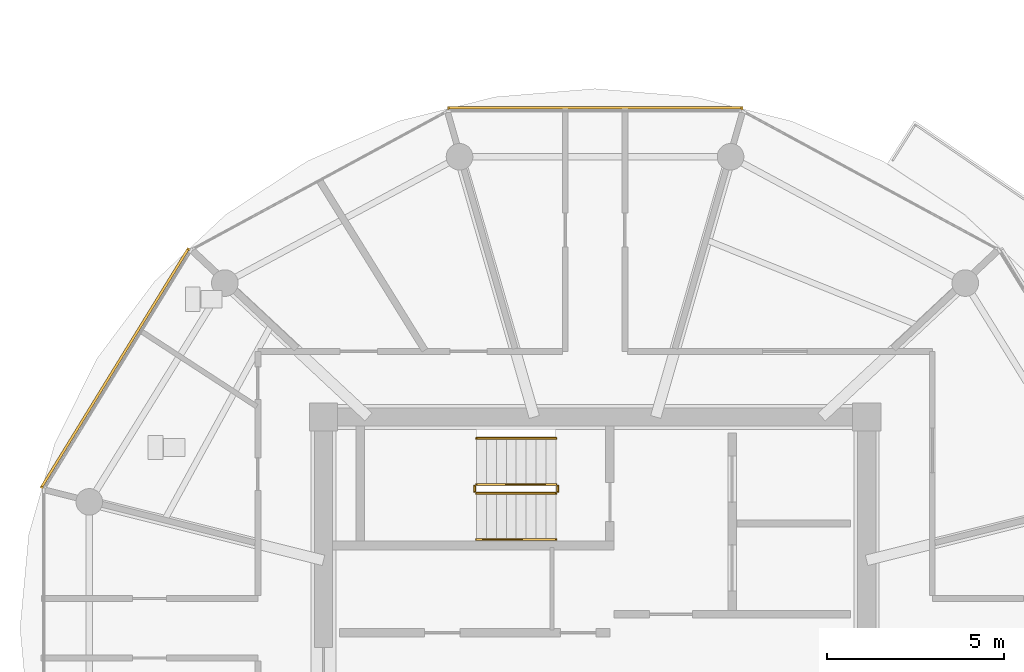
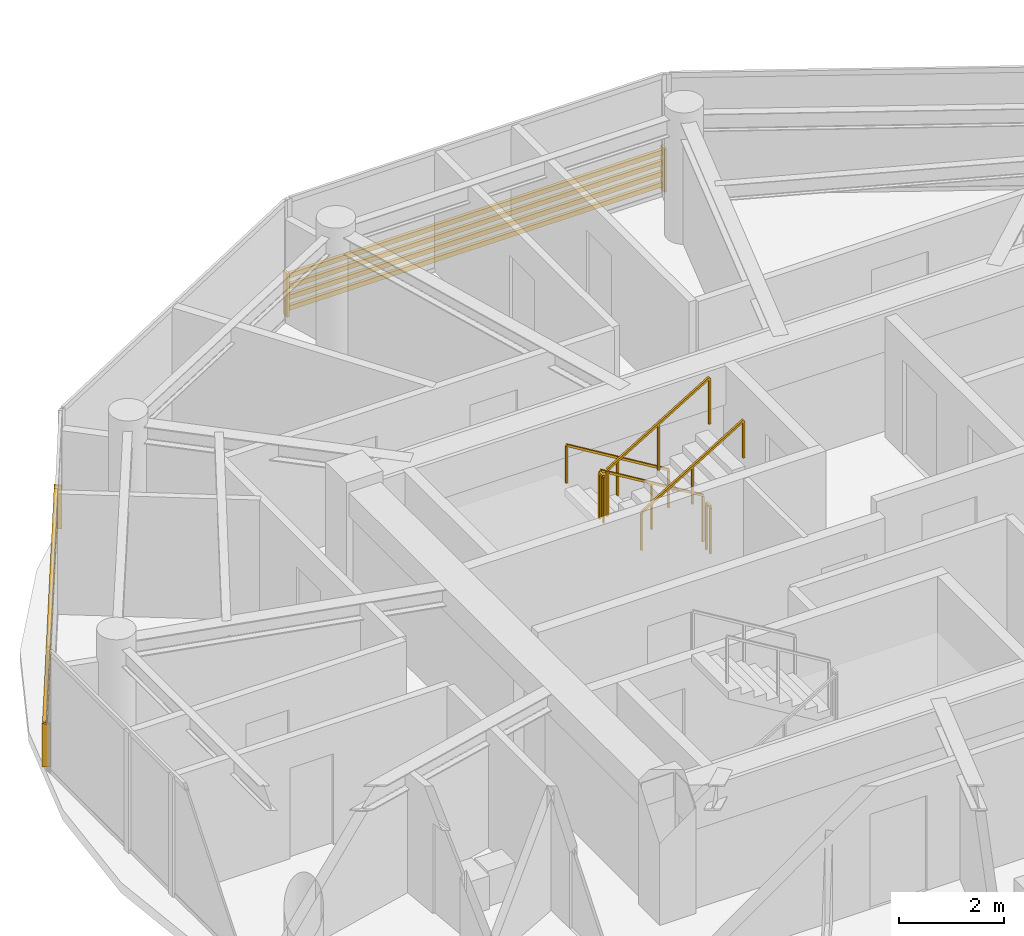
# One storey, part 16 of 19: 6 railings, 2 shading devices.
"""IFC4 building model written with IfcOpenShell, lengths in metres."""

from ifc_helpers import new_model, si_unit, direction, frame, origin, origin_2d, place, context, subcontext, project, spatial, rectangle, extrude, source, transform, mapped, material, type_object, type_shapes, element, save


model = new_model("IFC4")

# Units and contexts
model_context = context("Model", 3, precision=1e-05, world=origin(), true_north=direction((0.0, 1.0)))
body_context = subcontext(model_context, "Body", "Model", "MODEL_VIEW")
ifc_project = project(units=[si_unit("LENGTHUNIT", "METRE"), si_unit("AREAUNIT", "SQUARE_METRE"), si_unit("VOLUMEUNIT", "CUBIC_METRE"), si_unit("PLANEANGLEUNIT", "RADIAN"), si_unit("MASSUNIT", "GRAM", prefix="KILO")], contexts=[model_context])

# Site, building, storey
site_placement = place(None, origin())
site = spatial("IfcSite", under=ifc_project, at=site_placement, CompositionType="ELEMENT")
building_placement = place(site_placement, origin())
building = spatial("IfcBuilding", under=site, at=building_placement, Name="Norrkilde Senior Care Towers", CompositionType="ELEMENT")
storey_placement = place(building_placement, frame((0.0, 0.0, 193.699951171875)))
storey = spatial("IfcBuildingStorey", under=building, at=storey_placement, Name="L60", CompositionType="ELEMENT", Elevation=193.699951171875)

# Railings
ifc_material_1 = material(Name="Stainless Steel", Category="steel")
railing_type_1 = type_object("IfcRailingType", Name="Stair and Terrace Guardrail 1100", PredefinedType="GUARDRAIL", material=ifc_material_1)
railing_1_placement = place(storey_placement, frame((-29.10009765625, 4.050048828125, 0.16943359375)))
element("IfcRailing", 1, at=railing_1_placement, inside=storey, type_object=railing_type_1, Name="L60 ST-W1 stair guard 1", PredefinedType="GUARDRAIL", context=body_context, shape_type="SweptSolid", body=[
    extrude(rectangle(XDim=0.048095703125, YDim=0.048095703125, at=origin_2d()), frame((0.0, 0.0, 1.076171875), z_axis=(-0.855512035549, 0.0, 0.517782924622), x_axis=(0.0, -1.0, 0.0)), (0.0, 0.0, 1.0), 2.618408203125),
    extrude(rectangle(XDim=0.0419921875, YDim=0.0419921875, at=origin_2d()), origin(), (0.0, 0.0, 1.0), 1.050048828125),
    extrude(rectangle(XDim=0.0419921875, YDim=0.0419921875, at=origin_2d()), frame((-1.1201171875, 0.0, 0.677734375)), (0.0, 0.0, 1.0), 1.050048828125),
    extrude(rectangle(XDim=0.0419921875, YDim=0.0419921875, at=origin_2d()), frame((-2.239990234375, 0.0, 1.355712890625)), (0.0, 0.0, 1.0), 1.050048828125),
])
railing_2_placement = place(storey_placement, frame((-31.389892578125, 4.0, 1.525146484375)))
element("IfcRailing", 2, at=railing_2_placement, inside=storey, type_object=railing_type_1, Name="L60 ST-W1 stair guard 2", PredefinedType="GUARDRAIL", context=body_context, shape_type="SweptSolid", body=[
    extrude(rectangle(XDim=0.048095703125, YDim=0.048095703125, at=origin_2d()), frame((0.0, 0.0, 1.076171875), z_axis=(0.0, -1.0, 0.0), x_axis=(1.0, 0.0, 0.0)), (0.0, 0.0, 1.0), 0.14990234375),
    extrude(rectangle(XDim=0.0419921875, YDim=0.0419921875, at=origin_2d()), origin(), (0.0, 0.0, 1.0), 1.050048828125),
    extrude(rectangle(XDim=0.0419921875, YDim=0.0419921875, at=origin_2d()), frame((0.0, -0.14990234375, 0.0)), (0.0, 0.0, 1.0), 1.050048828125),
])
railing_3_placement = place(storey_placement, frame((-31.340087890625, 3.800048828125, 1.694580078125)))
element("IfcRailing", 3, at=railing_3_placement, inside=storey, type_object=railing_type_1, Name="L60 ST-W1 stair guard 3", PredefinedType="GUARDRAIL", context=body_context, shape_type="SweptSolid", body=[
    extrude(rectangle(XDim=0.048095703125, YDim=0.048095703125, at=origin_2d()), frame((0.0, 0.0, 1.076171875), z_axis=(0.855553338991, 0.0, 0.51771467445), x_axis=(0.0, 1.0, 0.0)), (0.0, 0.0, 1.0), 2.6181640625),
    extrude(rectangle(XDim=0.0419921875, YDim=0.0419921875, at=origin_2d()), origin(), (0.0, 0.0, 1.0), 1.050048828125),
    extrude(rectangle(XDim=0.0419921875, YDim=0.0419921875, at=origin_2d()), frame((1.1201171875, 0.0, 0.677734375)), (0.0, 0.0, 1.0), 1.050048828125),
    extrude(rectangle(XDim=0.0419921875, YDim=0.0419921875, at=origin_2d()), frame((2.239990234375, 0.0, 1.35546875)), (0.0, 0.0, 1.0), 1.050048828125),
])
railing_4_placement = place(storey_placement, frame((-29.050048828125, 4.0, 0.0)))
element("IfcRailing", 4, at=railing_4_placement, inside=storey, type_object=railing_type_1, Name="L60 ST-W1 stair guard 4", PredefinedType="GUARDRAIL", context=body_context, shape_type="SweptSolid", body=[
    extrude(rectangle(XDim=0.048095703125, YDim=0.048095703125, at=origin_2d()), frame((0.0, 0.0, 1.076171875), z_axis=(0.0, -1.0, 0.0), x_axis=(1.0, 0.0, 0.0)), (0.0, 0.0, 1.0), 0.14990234375),
    extrude(rectangle(XDim=0.0419921875, YDim=0.0419921875, at=origin_2d()), origin(), (0.0, 0.0, 1.0), 1.050048828125),
    extrude(rectangle(XDim=0.0419921875, YDim=0.0419921875, at=origin_2d()), frame((0.0, -0.14990234375, 0.0)), (0.0, 0.0, 1.0), 1.050048828125),
])
ifc_material_2 = material(Name="Nordic Ash Timber", Category="wood")
railing_type_2 = type_object("IfcRailingType", Name="Wall and Stair Handrail 900", PredefinedType="HANDRAIL", material=ifc_material_2)
railing_5_placement = place(storey_placement, frame((-29.10009765625, 5.35009765625, 0.16943359375)))
element("IfcRailing", 5, at=railing_5_placement, inside=storey, type_object=railing_type_2, Name="L60 ST-W1 stair handrail 1", PredefinedType="HANDRAIL", context=body_context, shape_type="SweptSolid", body=[
    extrude(rectangle(XDim=0.048095703125, YDim=0.048095703125, at=origin_2d()), frame((0.0, 0.0, 0.8759765625), z_axis=(-0.855512035549, 0.0, 0.517782924622), x_axis=(0.0, -1.0, 0.0)), (0.0, 0.0, 1.0), 2.618408203125),
    extrude(rectangle(XDim=0.0419921875, YDim=0.0419921875, at=origin_2d()), origin(), (0.0, 0.0, 1.0), 0.849853515625),
    extrude(rectangle(XDim=0.0419921875, YDim=0.0419921875, at=origin_2d()), frame((-1.1201171875, 0.0, 0.677734375)), (0.0, 0.0, 1.0), 0.849853515625),
    extrude(rectangle(XDim=0.0419921875, YDim=0.0419921875, at=origin_2d()), frame((-2.239990234375, 0.0, 1.355712890625)), (0.0, 0.0, 1.0), 0.849853515625),
])
railing_6_placement = place(storey_placement, frame((-31.340087890625, 2.5, 1.694580078125)))
element("IfcRailing", 6, at=railing_6_placement, inside=storey, type_object=railing_type_2, Name="L60 ST-W1 stair handrail 2", PredefinedType="HANDRAIL", context=body_context, shape_type="SweptSolid", body=[
    extrude(rectangle(XDim=0.048095703125, YDim=0.048095703125, at=origin_2d()), frame((0.0, 0.0, 0.8759765625), z_axis=(0.855553338991, 0.0, 0.51771467445), x_axis=(0.0, 1.0, 0.0)), (0.0, 0.0, 1.0), 2.6181640625),
    extrude(rectangle(XDim=0.0419921875, YDim=0.0419921875, at=origin_2d()), origin(), (0.0, 0.0, 1.0), 0.849853515625),
    extrude(rectangle(XDim=0.0419921875, YDim=0.0419921875, at=origin_2d()), frame((1.1201171875, 0.0, 0.677734375)), (0.0, 0.0, 1.0), 0.849853515625),
    extrude(rectangle(XDim=0.0419921875, YDim=0.0419921875, at=origin_2d()), frame((2.239990234375, 0.0, 1.35546875)), (0.0, 0.0, 1.0), 0.849853515625),
])

# Shading devices
ifc_material_3 = material(Name="Architectural Terracotta", Category="masonry")
shading_device_type = type_object("IfcShadingDeviceType", Name="Horizontal Terracotta Baguette Rack", PredefinedType="USERDEFINED", material=ifc_material_3)
shared_shape_1 = source(origin(), body_context, "Body", "SweptSolid", [
    extrude(rectangle(XDim=0.070068359375, YDim=0.110107421875, at=origin_2d()), frame((0.0, 0.090087890625, 0.125), z_axis=(1.0, 0.0, 0.0), x_axis=(0.0, 1.0, 0.0)), (0.0, 0.0, 1.0), 7.938232421875),
    extrude(rectangle(XDim=0.070068359375, YDim=0.110107421875, at=origin_2d()), frame((0.0, 0.090087890625, 0.375), z_axis=(1.0, 0.0, 0.0), x_axis=(0.0, 1.0, 0.0)), (0.0, 0.0, 1.0), 7.938232421875),
    extrude(rectangle(XDim=0.070068359375, YDim=0.110107421875, at=origin_2d()), frame((0.0, 0.090087890625, 0.625), z_axis=(1.0, 0.0, 0.0), x_axis=(0.0, 1.0, 0.0)), (0.0, 0.0, 1.0), 7.938232421875),
    extrude(rectangle(XDim=0.070068359375, YDim=0.110107421875, at=origin_2d()), frame((0.0, 0.090087890625, 0.875), z_axis=(1.0, 0.0, 0.0), x_axis=(0.0, 1.0, 0.0)), (0.0, 0.0, 1.0), 7.938232421875),
    extrude(rectangle(XDim=0.050048828125, YDim=0.1552734375, at=origin_2d()), frame((0.02490234375, 0.047607421875, 0.0)), (0.0, 0.0, 1.0), 1.0),
    extrude(rectangle(XDim=0.050048828125, YDim=0.1552734375, at=origin_2d()), frame((7.9130859375, 0.047607421875, 0.0)), (0.0, 0.0, 1.0), 1.0),
])
shading_device_1_placement = place(storey_placement, frame((-43.531982421875, 3.903076171875, 0.080078125), z_axis=(0.0, 0.0, 1.0), x_axis=(0.524250345994, 0.851576195602, 0.0)))
element("IfcShadingDevice", 7, at=shading_device_1_placement, inside=storey, type_object=shading_device_type, Name="L60 Drum W Terracotta Baguette Screen 04", ObjectType="BAGUETTE", PredefinedType="USERDEFINED", context=body_context, shape_type="MappedRepresentation", body=[
    mapped(shared_shape_1, transform((0.0, 0.0, 0.0), x_axis=(1.0, 0.0, 0.0), y_axis=(0.0, 1.0, 0.0), z_axis=(0.0, 0.0, 1.0), scale=1.0)),
])
shared_shape_2 = source(origin(), body_context, "Body", "SweptSolid", [
    extrude(rectangle(XDim=0.070068359375, YDim=0.110107421875, at=origin_2d()), frame((0.0, 0.090087890625, 0.125), z_axis=(1.0, 0.0, 0.0), x_axis=(0.0, 1.0, 0.0)), (0.0, 0.0, 1.0), 8.32373046875),
    extrude(rectangle(XDim=0.070068359375, YDim=0.110107421875, at=origin_2d()), frame((0.0, 0.090087890625, 0.375), z_axis=(1.0, 0.0, 0.0), x_axis=(0.0, 1.0, 0.0)), (0.0, 0.0, 1.0), 8.32373046875),
    extrude(rectangle(XDim=0.070068359375, YDim=0.110107421875, at=origin_2d()), frame((0.0, 0.090087890625, 0.625), z_axis=(1.0, 0.0, 0.0), x_axis=(0.0, 1.0, 0.0)), (0.0, 0.0, 1.0), 8.32373046875),
    extrude(rectangle(XDim=0.070068359375, YDim=0.110107421875, at=origin_2d()), frame((0.0, 0.090087890625, 0.875), z_axis=(1.0, 0.0, 0.0), x_axis=(0.0, 1.0, 0.0)), (0.0, 0.0, 1.0), 8.32373046875),
    extrude(rectangle(XDim=0.050048828125, YDim=0.1552734375, at=origin_2d()), frame((0.02490234375, 0.047607421875, 0.0)), (0.0, 0.0, 1.0), 1.0),
    extrude(rectangle(XDim=0.050048828125, YDim=0.1552734375, at=origin_2d()), frame((8.298828125, 0.047607421875, 0.0)), (0.0, 0.0, 1.0), 1.0),
])
type_shapes(shading_device_type, [shared_shape_1, shared_shape_2])
shading_device_2_placement = place(storey_placement, frame((-32.161865234375, 14.566162109375, 0.080078125), z_axis=(0.0, 0.0, 1.0), x_axis=(1.0, 0.0, 0.0)))
element("IfcShadingDevice", 8, at=shading_device_2_placement, inside=storey, type_object=shading_device_type, Name="L60 Drum W Terracotta Baguette Screen 02", ObjectType="BAGUETTE", PredefinedType="USERDEFINED", context=body_context, shape_type="MappedRepresentation", body=[
    mapped(shared_shape_2, transform((0.0, 0.0, 0.0), x_axis=(1.0, 0.0, 0.0), y_axis=(0.0, 1.0, 0.0), z_axis=(0.0, 0.0, 1.0), scale=1.0)),
])

save(model, "model.ifc")
